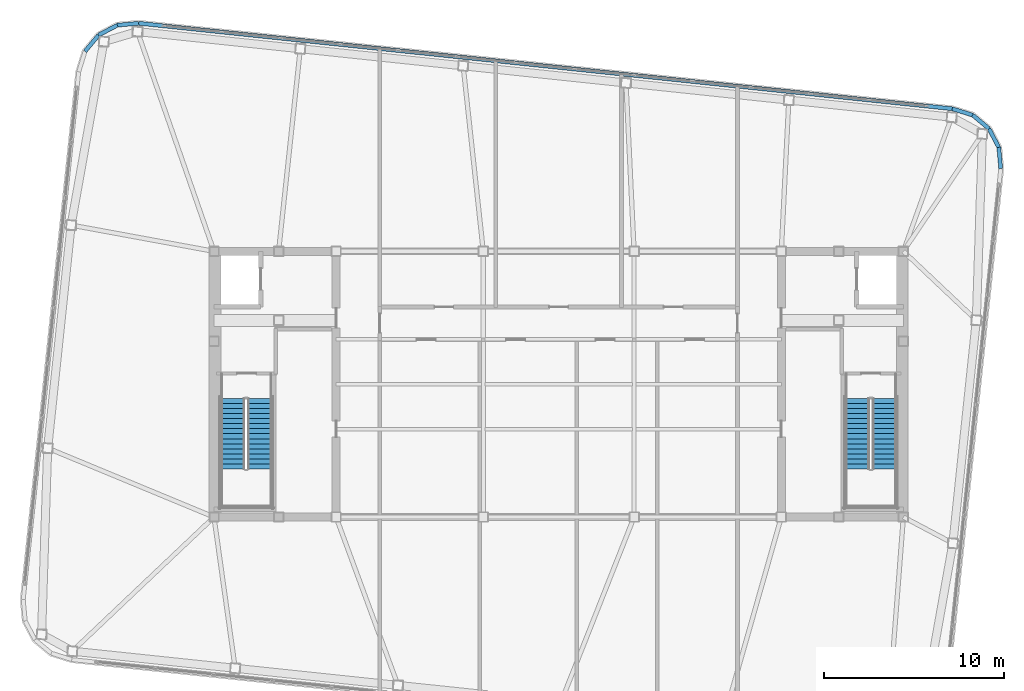
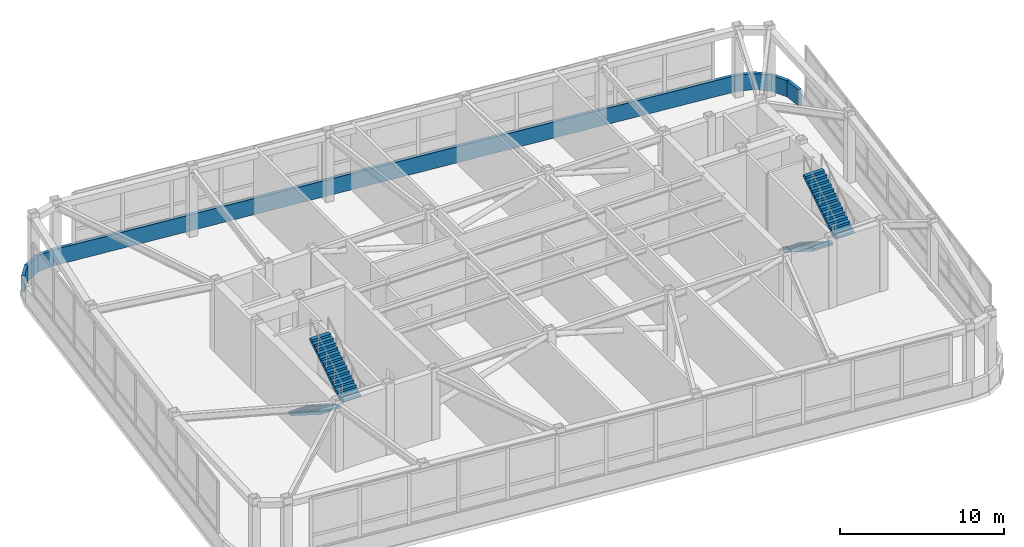
# One storey, part 21 of 23: 8 walls, 4 stair flights, 2 elements without a shape of their own.
"""IFC4 building model written with IfcOpenShell, lengths in metres."""

from ifc_helpers import new_model, si_unit, direction, frame, frame_2d, origin, place, context, subcontext, project, spatial, polyline, rectangle, outline, extrude, material, layer, layer_set, type_object, element, aggregate, save


model = new_model("IFC4")

# Units and contexts
model_context = context("Model", 3, precision=1e-05, world=origin(), true_north=direction((0.0, 1.0)))
body_context = subcontext(model_context, "Body", "Model", "MODEL_VIEW")
ifc_project = project(units=[si_unit("LENGTHUNIT", "METRE"), si_unit("AREAUNIT", "SQUARE_METRE"), si_unit("VOLUMEUNIT", "CUBIC_METRE"), si_unit("PLANEANGLEUNIT", "RADIAN"), si_unit("MASSUNIT", "GRAM", prefix="KILO")], contexts=[model_context])

# Site, building, storey
site_placement = place(None, origin())
site = spatial("IfcSite", under=ifc_project, at=site_placement, CompositionType="ELEMENT")
building_placement = place(site_placement, origin())
building = spatial("IfcBuilding", under=site, at=building_placement, Name="Voryun Gate Residences", CompositionType="ELEMENT")
storey_placement = place(building_placement, frame((0.0, 0.0, 326.60009765625)))
storey = spatial("IfcBuildingStorey", under=building, at=storey_placement, Name="L80", CompositionType="ELEMENT", Elevation=326.60009765625)

# Walls
ifc_material_1 = material(Name="Precast concrete C40/50", Category="concrete")
ifc_layer = layer(ifc_material_1, 0.219970703125, Name="W_PARAPET_CURB_220")
ifc_layer_set = layer_set([ifc_layer], Name="Precast concrete C40/50")
wall_type = type_object("IfcWallType", Name="W_PARAPET_CURB_220", PredefinedType="PARAPET", material=ifc_layer_set)
wall_1_placement = place(storey_placement, frame((-26.37890625, 18.54150390625, 0.0), z_axis=(0.0, 0.0, 1.0), x_axis=(0.639408628756, 0.768867092203, 0.0)))
element("IfcWall", 1, at=wall_1_placement, inside=storey, type_object=wall_type, Name="Exterior wall WCRN-L80-08", PredefinedType="PARAPET", context=body_context, shape_type="SweptSolid", body=[
    extrude(rectangle(XDim=1.1767578125, YDim=0.219970703125, at=frame_2d((0.58837890625, 0.0))), origin(), (0.0, 0.0, 1.0), 1.199951171875),
])
wall_2_placement = place(storey_placement, frame((-25.62646484375, 19.4462890625, 0.0), z_axis=(0.0, 0.0, 1.0), x_axis=(0.884985697578, 0.465618207421, 0.0)))
element("IfcWall", 2, at=wall_2_placement, inside=storey, type_object=wall_type, Name="Exterior wall WCRN-L80-09", PredefinedType="PARAPET", context=body_context, shape_type="SweptSolid", body=[
    extrude(rectangle(XDim=1.17724609375, YDim=0.219970703125, at=frame_2d((0.588623046875, 0.0))), origin(), (0.0, 0.0, 1.0), 1.199951171875),
])
wall_3_placement = place(storey_placement, frame((-24.584716796875, 19.994384765625, 0.0), z_axis=(0.0, 0.0, 1.0), x_axis=(0.995802277791, 0.091530451467, 0.0)))
element("IfcWall", 3, at=wall_3_placement, inside=storey, type_object=wall_type, Name="Exterior wall WCRN-L80-10", PredefinedType="PARAPET", context=body_context, shape_type="SweptSolid", body=[
    extrude(rectangle(XDim=1.195068359375, YDim=0.219970703125, at=frame_2d((0.59765625, 0.0))), origin(), (0.0, 0.0, 1.0), 1.199951171875),
])
wall_4_placement = place(storey_placement, frame((-23.394775390625, 20.103759765625, 0.0), z_axis=(0.0, 0.0, 1.0), x_axis=(0.994522116558, -0.104526358762, 0.0)))
element("IfcWall", 4, at=wall_4_placement, inside=storey, type_object=wall_type, Name="Exterior wall WCRN-L80-11", PredefinedType="PARAPET", context=body_context, shape_type="SweptSolid", body=[
    extrude(rectangle(XDim=45.564453125, YDim=0.219970703125, at=frame_2d((22.7822265625, 0.0))), origin(), (0.0, 0.0, 1.0), 1.199951171875),
])
wall_5_placement = place(storey_placement, frame((21.920166015625, 15.341064453125, 0.0), z_axis=(0.0, 0.0, 1.0), x_axis=(0.95499831015, -0.296611239858, 0.0)))
element("IfcWall", 5, at=wall_5_placement, inside=storey, type_object=wall_type, Name="Exterior wall WCRN-L80-12", PredefinedType="PARAPET", context=body_context, shape_type="SweptSolid", body=[
    extrude(rectangle(XDim=1.195068359375, YDim=0.219970703125, at=frame_2d((0.59765625, 0.0))), origin(), (0.0, 0.0, 1.0), 1.199951171875),
])
for number, where, z_axis, x_axis, name in (
    (6, (23.0615234375, 14.986572265625, 0.0), (0.0, 0.0, 1.0), (0.768765101718, -0.639531248947, 0.0), "Exterior wall WCRN-L80-13"),
    (7, (23.96630859375, 14.23388671875, 0.0), (0.0, 0.0, 1.0), (0.465703684269, -0.884940720308, 0.0), "Exterior wall WCRN-L80-14"),
):
    element("IfcWall", number, at=place(storey_placement, frame(where, z_axis=z_axis, x_axis=x_axis)), inside=storey, type_object=wall_type, Name=name, PredefinedType="PARAPET", context=body_context, shape_type="SweptSolid", body=[
        extrude(rectangle(XDim=1.177001953125, YDim=0.219970703125, at=frame_2d((0.58837890625, 0.0))), origin(), (0.0, 0.0, 1.0), 1.199951171875),
    ])
wall_6_placement = place(storey_placement, frame((24.514404296875, 13.1923828125, 0.0), z_axis=(0.0, 0.0, 1.0), x_axis=(0.091530451467, -0.995802277791, 0.0)))
element("IfcWall", 8, at=wall_6_placement, inside=storey, type_object=wall_type, Name="Exterior wall WCRN-L80-15", PredefinedType="PARAPET", context=body_context, shape_type="SweptSolid", body=[
    extrude(rectangle(XDim=1.195068359375, YDim=0.219970703125, at=frame_2d((0.59765625, 0.0))), origin(), (0.0, 0.0, 1.0), 1.199951171875),
])

# Stair, stair flights
ifc_material_2 = material(Name="Concrete C40/50", Category="concrete")
stair_type = type_object("IfcStairType", Name="STR_CORE_DOGLEG_1350", PredefinedType="HALF_TURN_STAIR", material=ifc_material_2)
stair_1_placement = place(storey_placement, origin())
stair_1 = element("IfcStair", 9, at=stair_1_placement, inside=storey, type_object=stair_type, Name="L80 Special Escape Stair ST-W1", PredefinedType="HALF_TURN_STAIR")
ifc_material_3 = material(Name="Concrete C40/50", Category="concrete")
stair_flight_type = type_object("IfcStairFlightType", Name="FLT_CORE_1350", PredefinedType="STRAIGHT", material=ifc_material_3)
stair_flight_1_placement = place(storey_placement, frame((-18.14990234375, -0.800048828125, 0.0), z_axis=(0.0, 0.0, 1.0), x_axis=(0.0, -1.0, 0.0)))
stair_flight_1 = element("IfcStairFlight", 10, at=stair_flight_1_placement, type_object=stair_flight_type, Name="ST-W1 flight 1", NumberOfRisers=15, NumberOfTreads=14, PredefinedType="STRAIGHT", RiserHeight=0.176666667, TreadLength=0.28, context=body_context, shape_type="SweptSolid", body=[
    extrude(outline(polyline([(0.0, 0.0), (0.0, 0.1767578125), (0.280029296875, 0.1767578125), (0.280029296875, 0.353271484375), (0.56005859375, 0.353271484375), (0.56005859375, 0.530029296875), (0.840087890625, 0.530029296875), (0.840087890625, 0.706787109375), (1.1201171875, 0.706787109375), (1.1201171875, 0.88330078125), (1.39990234375, 0.88330078125), (1.39990234375, 1.06005859375), (1.679931640625, 1.06005859375), (1.679931640625, 1.236572265625), (1.9599609375, 1.236572265625), (1.9599609375, 1.413330078125), (2.239990234375, 1.413330078125), (2.239990234375, 1.590087890625), (2.52001953125, 1.590087890625), (2.52001953125, 1.7666015625), (2.800048828125, 1.7666015625), (2.800048828125, 1.943359375), (3.080078125, 1.943359375), (3.080078125, 2.1201171875), (3.360107421875, 2.1201171875), (3.360107421875, 2.296630859375), (3.639892578125, 2.296630859375), (3.639892578125, 2.473388671875), (3.919921875, 2.473388671875), (3.919921875, 2.64990234375), (3.919921875, 2.296142578125), (0.281005859375, 0.0), (0.0, 0.0)])), frame((0.0, 0.675048828125, 0.0), z_axis=(0.0, -1.0, 0.0), x_axis=(1.0, 0.0, 0.0)), (0.0, 0.0, 1.0), 1.35009765625),
])
stair_flight_2_placement = place(storey_placement, frame((-16.64990234375, -4.719970703125, 2.64990234375), z_axis=(0.0, 0.0, 1.0), x_axis=(0.0, 1.0, 0.0)))
stair_flight_2 = element("IfcStairFlight", 11, at=stair_flight_2_placement, type_object=stair_flight_type, Name="ST-W1 flight 2", NumberOfRisers=15, NumberOfTreads=14, PredefinedType="STRAIGHT", RiserHeight=0.176666667, TreadLength=0.28, context=body_context, shape_type="SweptSolid", body=[
    extrude(outline(polyline([(0.0, 0.0), (0.0, 0.1767578125), (0.280029296875, 0.1767578125), (0.280029296875, 0.353271484375), (0.56005859375, 0.353271484375), (0.56005859375, 0.530029296875), (0.840087890625, 0.530029296875), (0.840087890625, 0.706787109375), (1.1201171875, 0.706787109375), (1.1201171875, 0.88330078125), (1.39990234375, 0.88330078125), (1.39990234375, 1.06005859375), (1.679931640625, 1.06005859375), (1.679931640625, 1.236572265625), (1.9599609375, 1.236572265625), (1.9599609375, 1.413330078125), (2.239990234375, 1.413330078125), (2.239990234375, 1.590087890625), (2.52001953125, 1.590087890625), (2.52001953125, 1.7666015625), (2.800048828125, 1.7666015625), (2.800048828125, 1.943359375), (3.080078125, 1.943359375), (3.080078125, 2.1201171875), (3.360107421875, 2.1201171875), (3.360107421875, 2.296630859375), (3.639892578125, 2.296630859375), (3.639892578125, 2.473388671875), (3.919921875, 2.473388671875), (3.919921875, 2.64990234375), (3.919921875, 2.296142578125), (0.281005859375, 0.0), (0.0, 0.0)])), frame((0.0, 0.675048828125, 0.0), z_axis=(0.0, -1.0, 0.0), x_axis=(1.0, 0.0, 0.0)), (0.0, 0.0, 1.0), 1.35009765625),
])
aggregate(stair_1, [stair_flight_1, stair_flight_2])

stair_2_placement = place(storey_placement, origin())
stair_2 = element("IfcStair", 12, at=stair_2_placement, inside=storey, type_object=stair_type, Name="L80 Special Escape Stair ST-E1", PredefinedType="HALF_TURN_STAIR")
stair_flight_3_placement = place(storey_placement, frame((16.64990234375, -0.800048828125, 0.0), z_axis=(0.0, 0.0, 1.0), x_axis=(0.0, -1.0, 0.0)))
stair_flight_3 = element("IfcStairFlight", 13, at=stair_flight_3_placement, type_object=stair_flight_type, Name="ST-E1 flight 1", NumberOfRisers=15, NumberOfTreads=14, PredefinedType="STRAIGHT", RiserHeight=0.176666667, TreadLength=0.28, context=body_context, shape_type="SweptSolid", body=[
    extrude(outline(polyline([(0.0, 0.0), (0.0, 0.1767578125), (0.280029296875, 0.1767578125), (0.280029296875, 0.353271484375), (0.56005859375, 0.353271484375), (0.56005859375, 0.530029296875), (0.840087890625, 0.530029296875), (0.840087890625, 0.706787109375), (1.1201171875, 0.706787109375), (1.1201171875, 0.88330078125), (1.39990234375, 0.88330078125), (1.39990234375, 1.06005859375), (1.679931640625, 1.06005859375), (1.679931640625, 1.236572265625), (1.9599609375, 1.236572265625), (1.9599609375, 1.413330078125), (2.239990234375, 1.413330078125), (2.239990234375, 1.590087890625), (2.52001953125, 1.590087890625), (2.52001953125, 1.7666015625), (2.800048828125, 1.7666015625), (2.800048828125, 1.943359375), (3.080078125, 1.943359375), (3.080078125, 2.1201171875), (3.360107421875, 2.1201171875), (3.360107421875, 2.296630859375), (3.639892578125, 2.296630859375), (3.639892578125, 2.473388671875), (3.919921875, 2.473388671875), (3.919921875, 2.64990234375), (3.919921875, 2.296142578125), (0.281005859375, 0.0), (0.0, 0.0)])), frame((0.0, 0.675048828125, 0.0), z_axis=(0.0, -1.0, 0.0), x_axis=(1.0, 0.0, 0.0)), (0.0, 0.0, 1.0), 1.35009765625),
])
stair_flight_4_placement = place(storey_placement, frame((18.14990234375, -4.719970703125, 2.64990234375), z_axis=(0.0, 0.0, 1.0), x_axis=(0.0, 1.0, 0.0)))
stair_flight_4 = element("IfcStairFlight", 14, at=stair_flight_4_placement, type_object=stair_flight_type, Name="ST-E1 flight 2", NumberOfRisers=15, NumberOfTreads=14, PredefinedType="STRAIGHT", RiserHeight=0.176666667, TreadLength=0.28, context=body_context, shape_type="SweptSolid", body=[
    extrude(outline(polyline([(0.0, 0.0), (0.0, 0.1767578125), (0.280029296875, 0.1767578125), (0.280029296875, 0.353271484375), (0.56005859375, 0.353271484375), (0.56005859375, 0.530029296875), (0.840087890625, 0.530029296875), (0.840087890625, 0.706787109375), (1.1201171875, 0.706787109375), (1.1201171875, 0.88330078125), (1.39990234375, 0.88330078125), (1.39990234375, 1.06005859375), (1.679931640625, 1.06005859375), (1.679931640625, 1.236572265625), (1.9599609375, 1.236572265625), (1.9599609375, 1.413330078125), (2.239990234375, 1.413330078125), (2.239990234375, 1.590087890625), (2.52001953125, 1.590087890625), (2.52001953125, 1.7666015625), (2.800048828125, 1.7666015625), (2.800048828125, 1.943359375), (3.080078125, 1.943359375), (3.080078125, 2.1201171875), (3.360107421875, 2.1201171875), (3.360107421875, 2.296630859375), (3.639892578125, 2.296630859375), (3.639892578125, 2.473388671875), (3.919921875, 2.473388671875), (3.919921875, 2.64990234375), (3.919921875, 2.296142578125), (0.281005859375, 0.0), (0.0, 0.0)])), frame((0.0, 0.675048828125, 0.0), z_axis=(0.0, -1.0, 0.0), x_axis=(1.0, 0.0, 0.0)), (0.0, 0.0, 1.0), 1.35009765625),
])
aggregate(stair_2, [stair_flight_3, stair_flight_4])

save(model, "model.ifc")
